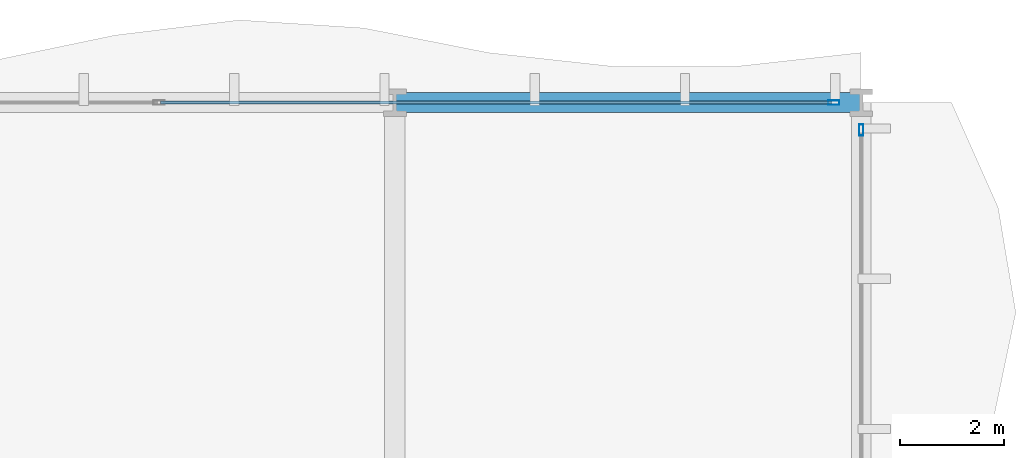
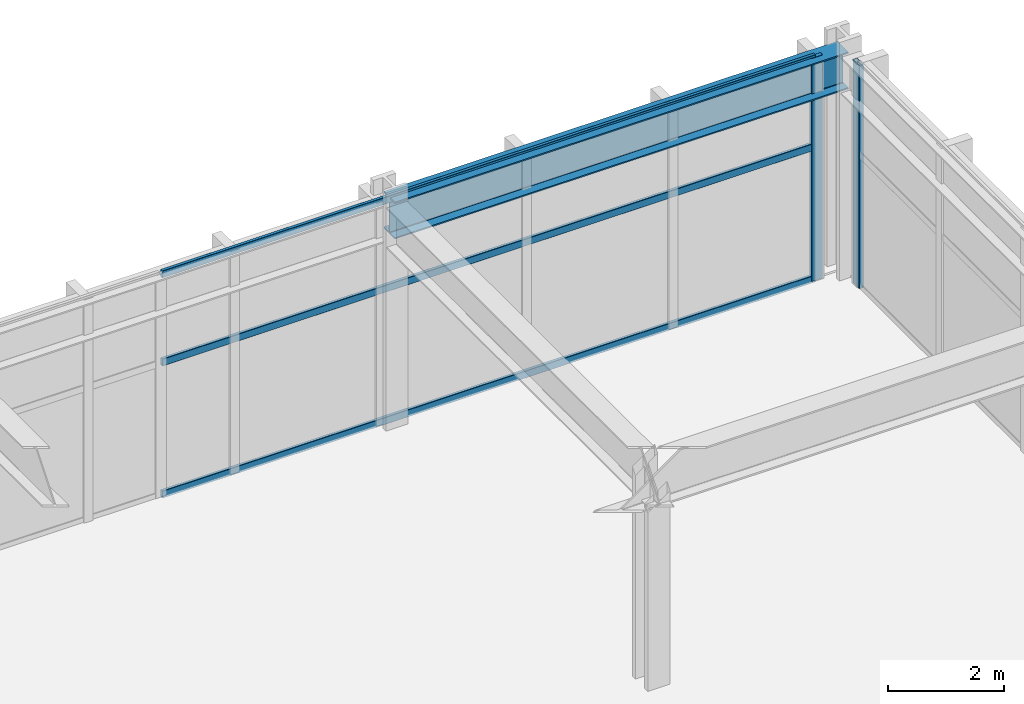
# One storey, part 18 of 28: 5 members, 1 beam, 2 elements without a shape of their own.
"""IFC4 building model written with IfcOpenShell, lengths in metres."""

from ifc_helpers import new_model, si_unit, direction, frame, origin, origin_2d, place, context, subcontext, project, spatial, hollow_rectangle, i_section, extrude, material, layer, layer_set, material_profile, profile_set, type_object, element, aggregate, save


model = new_model("IFC4")

# Units and contexts
model_context = context("Model", 3, precision=1e-05, world=origin(), true_north=direction((0.0, 1.0)))
body_context = subcontext(model_context, "Body", "Model", "MODEL_VIEW")
ifc_project = project(units=[si_unit("LENGTHUNIT", "METRE"), si_unit("AREAUNIT", "SQUARE_METRE"), si_unit("VOLUMEUNIT", "CUBIC_METRE"), si_unit("PLANEANGLEUNIT", "RADIAN"), si_unit("MASSUNIT", "GRAM", prefix="KILO")], contexts=[model_context])

# Site, building, storey
site_placement = place(None, origin())
site = spatial("IfcSite", under=ifc_project, at=site_placement, CompositionType="ELEMENT")
building_placement = place(site_placement, origin())
building = spatial("IfcBuilding", under=site, at=building_placement, Name="Solvaryn Broadcast Tower", CompositionType="ELEMENT")
storey_placement = place(building_placement, frame((0.0, 0.0, 16.199951171875)))
storey = spatial("IfcBuildingStorey", under=building, at=storey_placement, Name="L03", CompositionType="ELEMENT", Elevation=16.199951171875)

# Beam
ifc_material_1 = material(Name="Steel ASTM A992 Grade 50", Category="steel")
ifc_material_profile_1 = material_profile(ifc_material_1, i_section(OverallWidth=0.381103515625, OverallDepth=0.77294921875, WebThickness=0.0166015625, FlangeThickness=0.027099609375, FilletRadius=0.01806640625, at=origin_2d()))
ifc_profile_set_1 = profile_set([ifc_material_profile_1], Name="Steel ASTM A992 Grade 50")
beam_type = type_object("IfcBeamType", Name="BM-SP1-W30X173", PredefinedType="USERDEFINED", material=ifc_profile_set_1)
beam_placement = place(storey_placement, frame((54.0, 54.0, 4.29345703125), z_axis=(1.0, 0.0, 0.0), x_axis=(0.0, 1.0, 0.0)))
element("IfcBeam", 1, at=beam_placement, inside=storey, type_object=beam_type, Name="L03 Spandrel Beam X (54-63 @ Y=54)", ObjectType="SPANDREL", PredefinedType="USERDEFINED", context=body_context, shape_type="SweptSolid", body=[
    extrude(i_section(OverallWidth=0.381103515625, OverallDepth=0.77294921875, WebThickness=0.0166015625, FlangeThickness=0.027099609375, FilletRadius=0.01806640625, at=origin_2d()), origin(), (0.0, 0.0, 1.0), 9.0),
])

# Curtain wall, member
ifc_material_2 = material(Name="Aluminium and Terracotta Unitised Curtain Wall", Category="masonry")
ifc_layer = layer(ifc_material_2, 0.219970703125)
ifc_layer_set = layer_set([ifc_layer], Name="CW-SYS1-PODIUM")
curtain_wall_type = type_object("IfcCurtainWallType", Name="CW-SYS1-PODIUM", PredefinedType="NOTDEFINED", material=ifc_layer_set)
curtain_wall_1_placement = place(storey_placement, origin())
curtain_wall_1 = element("IfcCurtainWall", 2, at=curtain_wall_1_placement, inside=storey, type_object=curtain_wall_type, Name="L03 Podium Curtain Wall N2", PredefinedType="NOTDEFINED")
ifc_material_3 = material(Name="Anodised Aluminium 6063-T6", Category="aluminium")
ifc_material_profile_2 = material_profile(ifc_material_3, hollow_rectangle(XDim=0.0849609375, YDim=0.219970703125, WallThickness=0.0048828125, InnerFilletRadius=0.0048828125, OuterFilletRadius=0.010009765625, at=origin_2d()))
ifc_profile_set_2 = profile_set([ifc_material_profile_2], Name="Anodised Aluminium 6063-T6")
member_type_1 = type_object("IfcMemberType", Name="CW-MUL-220", PredefinedType="MULLION", material=ifc_profile_set_2)
member_1_placement = place(storey_placement, frame((62.469970703125, 54.0, 0.0), z_axis=(0.0, 0.0, 1.0), x_axis=(0.0, 1.0, 0.0)))
member_1 = element("IfcMember", 3, at=member_1_placement, type_object=member_type_1, Name="CWS1 mullion 3", PredefinedType="MULLION", context=body_context, shape_type="SweptSolid", body=[
    extrude(hollow_rectangle(XDim=0.0849609375, YDim=0.219970703125, WallThickness=0.0048828125, InnerFilletRadius=0.0048828125, OuterFilletRadius=0.010009765625, at=origin_2d()), origin(), (0.0, 0.0, 1.0), 4.679931640625),
])

curtain_wall_2_placement = place(storey_placement, origin())
curtain_wall_2 = element("IfcCurtainWall", 4, at=curtain_wall_2_placement, inside=storey, type_object=curtain_wall_type, Name="L03 Podium Curtain Wall E1", PredefinedType="NOTDEFINED")
member_2_placement = place(storey_placement, frame((63.0, 53.469970703125, 0.0), z_axis=(0.0, 0.0, 1.0), x_axis=(1.0, 0.0, 0.0)))
member_2 = element("IfcMember", 5, at=member_2_placement, type_object=member_type_1, Name="CWS1 mullion 1", PredefinedType="MULLION", context=body_context, shape_type="SweptSolid", body=[
    extrude(hollow_rectangle(XDim=0.0849609375, YDim=0.219970703125, WallThickness=0.0048828125, InnerFilletRadius=0.0048828125, OuterFilletRadius=0.010009765625, at=origin_2d()), origin(), (0.0, 0.0, 1.0), 4.679931640625),
])
aggregate(curtain_wall_2, [member_2])

# Member
ifc_material_4 = material(Name="Anodised Aluminium 6063-T6", Category="aluminium")
ifc_material_profile_3 = material_profile(ifc_material_4, hollow_rectangle(XDim=0.06494140625, YDim=0.14990234375, WallThickness=0.00390625, InnerFilletRadius=0.00390625, OuterFilletRadius=0.008056640625, at=origin_2d()))
ifc_profile_set_3 = profile_set([ifc_material_profile_3], Name="Anodised Aluminium 6063-T6")
member_type_2 = type_object("IfcMemberType", Name="CW-TRN-150", PredefinedType="USERDEFINED", material=ifc_profile_set_3)
member_3_placement = place(storey_placement, frame((49.47998046875, 54.0, 0.030029296875), z_axis=(1.0, 0.0, 0.0), x_axis=(0.0, 1.0, 0.0)))
member_3 = element("IfcMember", 6, at=member_3_placement, type_object=member_type_2, Name="CWS1 transom 2.1", ObjectType="TRANSOM", PredefinedType="USERDEFINED", context=body_context, shape_type="SweptSolid", body=[
    extrude(hollow_rectangle(XDim=0.06494140625, YDim=0.14990234375, WallThickness=0.00390625, InnerFilletRadius=0.00390625, OuterFilletRadius=0.008056640625, at=origin_2d()), origin(), (0.0, 0.0, 1.0), 12.9599609375),
])

member_4_placement = place(storey_placement, frame((49.47998046875, 54.0, 2.800048828125), z_axis=(1.0, 0.0, 0.0), x_axis=(0.0, 1.0, 0.0)))
member_4 = element("IfcMember", 7, at=member_4_placement, type_object=member_type_2, Name="CWS1 transom 2.2", ObjectType="TRANSOM", PredefinedType="USERDEFINED", context=body_context, shape_type="SweptSolid", body=[
    extrude(hollow_rectangle(XDim=0.06494140625, YDim=0.14990234375, WallThickness=0.00390625, InnerFilletRadius=0.00390625, OuterFilletRadius=0.008056640625, at=origin_2d()), origin(), (0.0, 0.0, 1.0), 12.9599609375),
])

member_5_placement = place(storey_placement, frame((49.47998046875, 54.0, 4.650146484375), z_axis=(1.0, 0.0, 0.0), x_axis=(0.0, 1.0, 0.0)))
member_5 = element("IfcMember", 8, at=member_5_placement, type_object=member_type_2, Name="CWS1 transom 2.3", ObjectType="TRANSOM", PredefinedType="USERDEFINED", context=body_context, shape_type="SweptSolid", body=[
    extrude(hollow_rectangle(XDim=0.06494140625, YDim=0.14990234375, WallThickness=0.00390625, InnerFilletRadius=0.00390625, OuterFilletRadius=0.008056640625, at=origin_2d()), origin(), (0.0, 0.0, 1.0), 12.9599609375),
])

aggregate(curtain_wall_1, [member_1, member_3, member_4, member_5])

save(model, "model.ifc")
